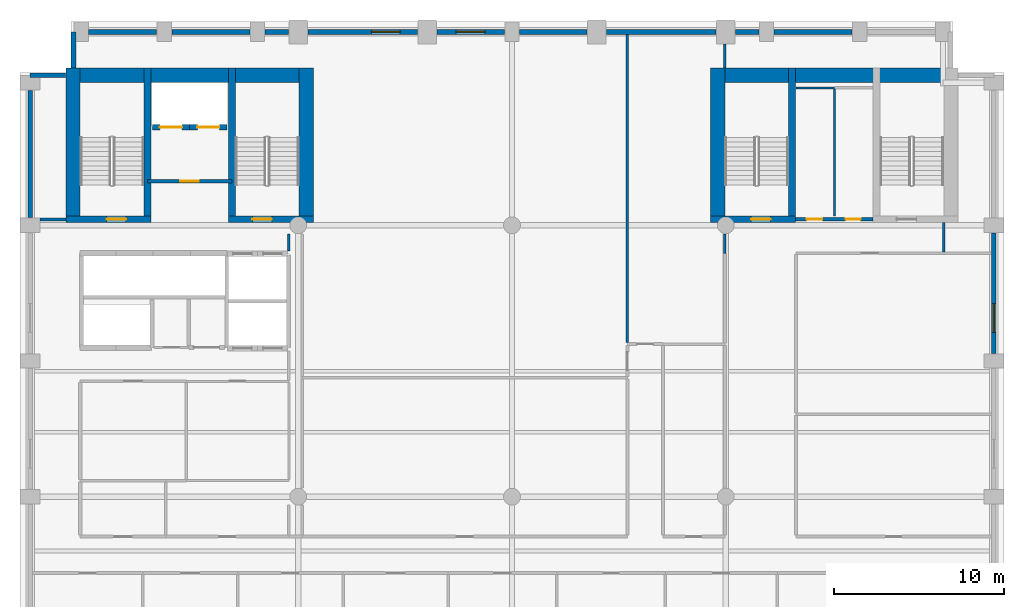
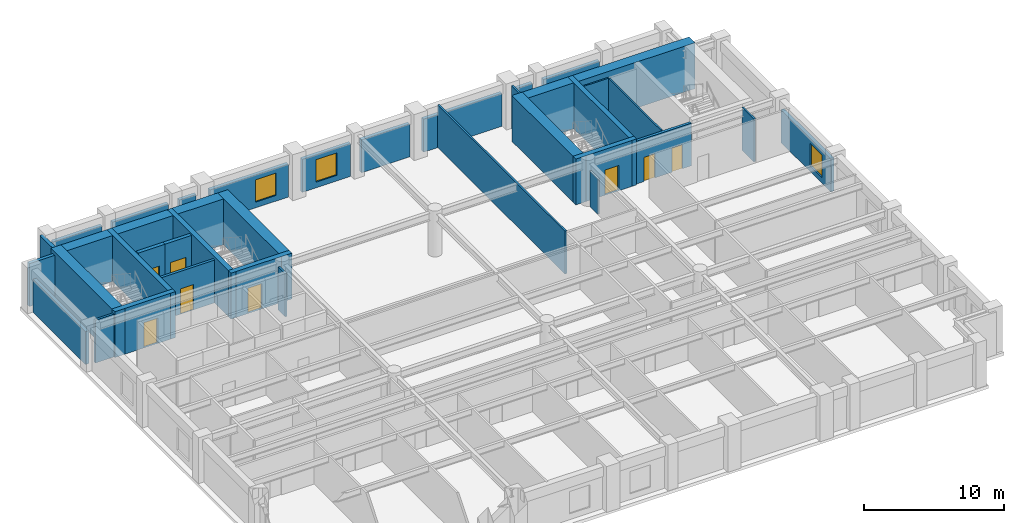
# One storey, part 5 of 8: 36 walls, 8 doors, 3 windows, 11 openings.
"""IFC4 building model written with IfcOpenShell, lengths in metres."""

from ifc_helpers import new_model, si_unit, direction, frame, frame_2d, origin, place, context, subcontext, project, spatial, rectangle, extrude, material, layer, layer_set, type_object, element, fill, save


model = new_model("IFC4")

# Units and contexts
model_context = context("Model", 3, precision=1e-05, world=origin(), true_north=direction((0.0, 1.0)))
body_context = subcontext(model_context, "Body", "Model", "MODEL_VIEW")
ifc_project = project(units=[si_unit("LENGTHUNIT", "METRE"), si_unit("AREAUNIT", "SQUARE_METRE"), si_unit("VOLUMEUNIT", "CUBIC_METRE"), si_unit("PLANEANGLEUNIT", "RADIAN"), si_unit("MASSUNIT", "GRAM", prefix="KILO")], contexts=[model_context])

# Site, building, storey
site_placement = place(None, origin())
site = spatial("IfcSite", under=ifc_project, at=site_placement, CompositionType="ELEMENT")
building_placement = place(site_placement, origin())
building = spatial("IfcBuilding", under=site, at=building_placement, Name="Sulina Concourse Tower", CompositionType="ELEMENT")
storey_placement = place(building_placement, frame((0.0, 0.0, 144.60009765625)))
storey = spatial("IfcBuildingStorey", under=building, at=storey_placement, Name="L35", CompositionType="ELEMENT", Elevation=144.60009765625)

# Wall, opening, door
ifc_material_1 = material(Name="Concrete C50/60", Category="concrete")
ifc_layer_1 = layer(ifc_material_1, 0.300048828125)
ifc_layer_set_1 = layer_set([ifc_layer_1], Name="Concrete C50/60")
wall_type_1 = type_object("IfcWallType", Name="Core Lift Hoistway Wall 300mm", PredefinedType="SOLIDWALL", material=ifc_layer_set_1)
wall_1_placement = place(storey_placement, frame((10.0, 39.780029296875, 0.0), z_axis=(0.0, 0.0, 1.0), x_axis=(-1.0, 0.0, 0.0)))
wall_1 = element("IfcWall", 1, at=wall_1_placement, inside=storey, type_object=wall_type_1, Name="L35 hoistway enclosure wall FFL-1", PredefinedType="SOLIDWALL", context=body_context, shape_type="SweptSolid", body=[
    extrude(rectangle(XDim=2.199951171875, YDim=0.300048828125, at=frame_2d((1.10009765625, 0.0))), origin(), (0.0, 0.0, 1.0), 4.0),
])
opening_1_placement = place(wall_1_placement, frame((0.449951171875, 0.0, 0.0)))
opening_1 = element("IfcOpeningElement", 2, at=opening_1_placement, cuts=wall_1, Name="Opening LD-02", PredefinedType="OPENING", context=body_context, shape_type="SweptSolid", body=[
    extrude(rectangle(XDim=1.300048828125, YDim=2.25, at=frame_2d((0.64990234375, 1.125))), frame((0.0, 0.159912109375, 0.0), z_axis=(0.0, -1.0, 0.0), x_axis=(1.0, 0.0, 0.0)), (0.0, 0.0, 1.0), 0.320068359375),
])
ifc_material_2 = material(Name="Stainless steel lift landing door", Category="steel")
ifc_layer_2 = layer(ifc_material_2, 0.050048828125)
ifc_layer_set_2 = layer_set([ifc_layer_2], Name="Stainless steel lift landing door")
door_type_1 = type_object("IfcDoorType", Name="Firefighting Lift Sliding Landing Door 1300x2250", OperationType="SLIDING_TO_RIGHT", PredefinedType="DOOR", material=ifc_layer_set_2)
door_1_placement = place(opening_1_placement, origin())
door_1 = element("IfcDoor", 3, at=door_1_placement, inside=storey, type_object=door_type_1, Name="L35 lift landing sliding door FFL-1", OperationType="SLIDING_TO_LEFT", OverallHeight=2.25, OverallWidth=1.300048828125, PredefinedType="DOOR", context=body_context, shape_type="SweptSolid", body=[
    extrude(rectangle(XDim=1.300048828125, YDim=2.25, at=frame_2d((0.64990234375, 1.125))), frame((0.0, 0.02490234375, 0.0), z_axis=(0.0, -1.0, 0.0), x_axis=(1.0, 0.0, 0.0)), (0.0, 0.0, 1.0), 0.050048828125),
])
fill(opening_1, door_1)

wall_2_placement = place(storey_placement, frame((12.199951171875, 39.780029296875, 0.0), z_axis=(0.0, 0.0, 1.0), x_axis=(-1.0, 0.0, 0.0)))
wall_2 = element("IfcWall", 4, at=wall_2_placement, inside=storey, type_object=wall_type_1, Name="L35 hoistway enclosure wall FFL-2", PredefinedType="SOLIDWALL", context=body_context, shape_type="SweptSolid", body=[
    extrude(rectangle(XDim=2.199951171875, YDim=0.300048828125, at=frame_2d((1.10009765625, 0.0))), origin(), (0.0, 0.0, 1.0), 4.0),
])
opening_2_placement = place(wall_2_placement, frame((0.449951171875, 0.0, 0.0)))
opening_2 = element("IfcOpeningElement", 5, at=opening_2_placement, cuts=wall_2, Name="Opening LD-02", PredefinedType="OPENING", context=body_context, shape_type="SweptSolid", body=[
    extrude(rectangle(XDim=1.300048828125, YDim=2.25, at=frame_2d((0.64990234375, 1.125))), frame((0.0, 0.159912109375, 0.0), z_axis=(0.0, -1.0, 0.0), x_axis=(1.0, 0.0, 0.0)), (0.0, 0.0, 1.0), 0.320068359375),
])
door_2_placement = place(opening_2_placement, origin())
door_2 = element("IfcDoor", 6, at=door_2_placement, inside=storey, type_object=door_type_1, Name="L35 lift landing sliding door FFL-2", OperationType="SLIDING_TO_RIGHT", OverallHeight=2.25, OverallWidth=1.300048828125, PredefinedType="DOOR", context=body_context, shape_type="SweptSolid", body=[
    extrude(rectangle(XDim=1.300048828125, YDim=2.25, at=frame_2d((0.64990234375, 1.125))), frame((0.0, 0.02490234375, 0.0), z_axis=(0.0, -1.0, 0.0), x_axis=(1.0, 0.0, 0.0)), (0.0, 0.0, 1.0), 0.050048828125),
])
fill(opening_2, door_2)

ifc_material_3 = material(Name="Gypsum board on steel stud", Category="steel")
ifc_layer_3 = layer(ifc_material_3, 0.219970703125)
ifc_layer_set_3 = layer_set([ifc_layer_3], Name="Gypsum board on steel stud")
wall_type_2 = type_object("IfcWallType", Name="Fire-Rated Lobby & Compartment Wall 220mm", PredefinedType="PARTITIONING", material=ifc_layer_set_3)
wall_3_placement = place(storey_placement, frame((7.510009765625, 36.60009765625, 0.0), z_axis=(0.0, 0.0, 1.0), x_axis=(1.0, 0.0, 0.0)))
wall_3 = element("IfcWall", 7, at=wall_3_placement, inside=storey, type_object=wall_type_2, Name="L35 firefighting lobby south fire wall", PredefinedType="PARTITIONING", context=body_context, shape_type="SweptSolid", body=[
    extrude(rectangle(XDim=4.97998046875, YDim=0.219970703125, at=frame_2d((2.489990234375, 0.0))), origin(), (0.0, 0.0, 1.0), 3.724853515625),
])
opening_3_placement = place(wall_3_placement, frame((1.93994140625, 0.0, 0.0)))
opening_3 = element("IfcOpeningElement", 8, at=opening_3_placement, cuts=wall_3, Name="Opening DR-47", PredefinedType="OPENING", context=body_context, shape_type="SweptSolid", body=[
    extrude(rectangle(XDim=1.10009765625, YDim=2.199951171875, at=frame_2d((0.550048828125, 1.10009765625))), frame((0.0, 0.119873046875, 0.0), z_axis=(0.0, -1.0, 0.0), x_axis=(1.0, 0.0, 0.0)), (0.0, 0.0, 1.0), 0.239990234375),
])
ifc_material_4 = material(Name="Galvanised steel acoustic fire leaf", Category="steel")
ifc_layer_4 = layer(ifc_material_4, 0.054931640625)
ifc_layer_set_4 = layer_set([ifc_layer_4], Name="Galvanised steel acoustic fire leaf")
door_type_2 = type_object("IfcDoorType", Name="Firefighting Lobby Fire Door 1100x2200", OperationType="NOTDEFINED", PredefinedType="DOOR", material=ifc_layer_set_4)
door_3_placement = place(opening_3_placement, origin())
door_3 = element("IfcDoor", 9, at=door_3_placement, inside=storey, type_object=door_type_2, Name="L35 firefighting lobby fire door", OperationType="SINGLE_SWING_RIGHT", OverallHeight=2.199951171875, OverallWidth=1.10009765625, PredefinedType="DOOR", context=body_context, shape_type="SweptSolid", body=[
    extrude(rectangle(XDim=1.10009765625, YDim=2.199951171875, at=frame_2d((0.550048828125, 1.10009765625))), frame((0.0, 0.02490234375, 0.0), z_axis=(0.0, -1.0, 0.0), x_axis=(1.0, 0.0, 0.0)), (0.0, 0.0, 1.0), 0.050048828125),
])
fill(opening_3, door_3)

# Wall, openings, doors
wall_4_placement = place(storey_placement, frame((45.719970703125, 34.35009765625, 0.0), z_axis=(0.0, 0.0, 1.0), x_axis=(1.0, 0.0, 0.0)))
wall_4 = element("IfcWall", 10, at=wall_4_placement, inside=storey, type_object=wall_type_2, Name="L35 east core south lobby wall", PredefinedType="PARTITIONING", context=body_context, shape_type="SweptSolid", body=[
    extrude(rectangle(XDim=4.56005859375, YDim=0.219970703125, at=frame_2d((2.280029296875, 0.0))), origin(), (0.0, 0.0, 1.0), 3.724853515625),
])
opening_4_placement = place(wall_4_placement, frame((0.64990234375, 0.0, 0.0)))
opening_4 = element("IfcOpeningElement", 11, at=opening_4_placement, cuts=wall_4, Name="Opening DR-61", PredefinedType="OPENING", context=body_context, shape_type="SweptSolid", body=[
    extrude(rectangle(XDim=0.919921875, YDim=2.10009765625, at=frame_2d((0.4599609375, 1.050048828125))), frame((0.0, 0.119873046875, 0.0), z_axis=(0.0, -1.0, 0.0), x_axis=(1.0, 0.0, 0.0)), (0.0, 0.0, 1.0), 0.239990234375),
])
opening_5_placement = place(wall_4_placement, frame((2.949951171875, 0.0, 0.0)))
opening_5 = element("IfcOpeningElement", 12, at=opening_5_placement, cuts=wall_4, Name="Opening DR-38", PredefinedType="OPENING", context=body_context, shape_type="SweptSolid", body=[
    extrude(rectangle(XDim=0.8798828125, YDim=2.10009765625, at=frame_2d((0.43994140625, 1.050048828125))), frame((0.0, 0.119873046875, 0.0), z_axis=(0.0, -1.0, 0.0), x_axis=(1.0, 0.0, 0.0)), (0.0, 0.0, 1.0), 0.239990234375),
])
ifc_material_5 = material(Name="Oak-veneered fire door leaf")
ifc_layer_5 = layer(ifc_material_5, 0.050048828125)
ifc_layer_set_5 = layer_set([ifc_layer_5], Name="Oak-veneered fire door leaf")
door_type_3 = type_object("IfcDoorType", Name="Accessible WC Door 920x2100", OperationType="NOTDEFINED", PredefinedType="DOOR", material=ifc_layer_set_5)
door_4_placement = place(opening_4_placement, origin())
door_4 = element("IfcDoor", 13, at=door_4_placement, inside=storey, type_object=door_type_3, Name="L35 east core accessible wc door", OperationType="SINGLE_SWING_RIGHT", OverallHeight=2.10009765625, OverallWidth=0.919921875, PredefinedType="DOOR", context=body_context, shape_type="SweptSolid", body=[
    extrude(rectangle(XDim=0.919921875, YDim=2.10009765625, at=frame_2d((0.4599609375, 1.050048828125))), frame((0.0, 0.02490234375, 0.0), z_axis=(0.0, -1.0, 0.0), x_axis=(1.0, 0.0, 0.0)), (0.0, 0.0, 1.0), 0.050048828125),
])
fill(opening_4, door_4)
ifc_material_6 = material(Name="Galvanised steel acoustic fire leaf", Category="steel")
ifc_layer_6 = layer(ifc_material_6, 0.050048828125)
ifc_layer_set_6 = layer_set([ifc_layer_6], Name="Galvanised steel acoustic fire leaf")
door_type_4 = type_object("IfcDoorType", Name="Service Riser Fire Door 880x2100", OperationType="NOTDEFINED", PredefinedType="DOOR", material=ifc_layer_set_6)
door_5_placement = place(opening_5_placement, origin())
door_5 = element("IfcDoor", 14, at=door_5_placement, inside=storey, type_object=door_type_4, Name="L35 east core store door", OperationType="SINGLE_SWING_LEFT", OverallHeight=2.10009765625, OverallWidth=0.8798828125, PredefinedType="DOOR", context=body_context, shape_type="SweptSolid", body=[
    extrude(rectangle(XDim=0.8798828125, YDim=2.10009765625, at=frame_2d((0.43994140625, 1.050048828125))), frame((0.0, 0.02490234375, 0.0), z_axis=(0.0, -1.0, 0.0), x_axis=(1.0, 0.0, 0.0)), (0.0, 0.0, 1.0), 0.050048828125),
])
fill(opening_5, door_5)

# Walls
ifc_material_7 = material(Name="Gypsum board on steel stud", Category="steel")
ifc_layer_7 = layer(ifc_material_7, 0.14990234375)
ifc_layer_set_7 = layer_set([ifc_layer_7], Name="Gypsum board on steel stud")
wall_type_3 = type_object("IfcWallType", Name="Inter-Tenancy Acoustic Partition 150mm", PredefinedType="PARTITIONING", material=ifc_layer_set_7)
wall_5_placement = place(storey_placement, frame((15.85009765625, 32.469970703125, 0.0), z_axis=(0.0, 0.0, 1.0), x_axis=(0.0, 1.0, 0.0)))
element("IfcWall", 15, at=wall_5_placement, inside=storey, type_object=wall_type_3, Name="L35 interior partition 042", PredefinedType="PARTITIONING", context=body_context, shape_type="SweptSolid", body=[
    extrude(rectangle(XDim=1.030029296875, YDim=0.14990234375, at=frame_2d((0.51513671875, 0.0))), origin(), (0.0, 0.0, 1.0), 3.724853515625),
])
wall_6_placement = place(storey_placement, frame((35.800048828125, 27.090087890625, 0.0), z_axis=(0.0, 0.0, 1.0), x_axis=(0.0, 1.0, 0.0)))
element("IfcWall", 16, at=wall_6_placement, inside=storey, type_object=wall_type_3, Name="L35 interior partition 051", PredefinedType="PARTITIONING", context=body_context, shape_type="SweptSolid", body=[
    extrude(rectangle(XDim=18.169921875, YDim=0.14990234375, at=frame_2d((9.0849609375, 0.0))), origin(), (0.0, 0.0, 1.0), 3.724853515625),
])
wall_7_placement = place(storey_placement, frame((41.550048828125, 32.35009765625, 0.0), z_axis=(0.0, 0.0, 1.0), x_axis=(0.0, 1.0, 0.0)))
element("IfcWall", 17, at=wall_7_placement, inside=storey, type_object=wall_type_3, Name="L35 interior partition 057", PredefinedType="PARTITIONING", context=body_context, shape_type="SweptSolid", body=[
    extrude(rectangle(XDim=1.14990234375, YDim=0.14990234375, at=frame_2d((0.574951171875, 0.0))), origin(), (0.0, 0.0, 1.0), 3.06982421875),
])
wall_8_placement = place(storey_placement, frame((41.550048828125, 43.280029296875, 0.0), z_axis=(0.0, 0.0, 1.0), x_axis=(0.0, 1.0, 0.0)))
element("IfcWall", 18, at=wall_8_placement, inside=storey, type_object=wall_type_3, Name="L35 interior partition 058", PredefinedType="PARTITIONING", context=body_context, shape_type="SweptSolid", body=[
    extrude(rectangle(XDim=1.419921875, YDim=0.14990234375, at=frame_2d((0.7099609375, 0.0))), origin(), (0.0, 0.0, 1.0), 3.724853515625),
])
wall_9_placement = place(storey_placement, frame((54.449951171875, 32.425048828125, 0.0), z_axis=(0.0, 0.0, 1.0), x_axis=(0.0, 1.0, 0.0)))
element("IfcWall", 19, at=wall_9_placement, inside=storey, type_object=wall_type_3, Name="L35 interior partition 064", PredefinedType="PARTITIONING", context=body_context, shape_type="SweptSolid", body=[
    extrude(rectangle(XDim=1.724853515625, YDim=0.14990234375, at=frame_2d((0.8623046875, 0.0))), origin(), (0.0, 0.0, 1.0), 3.724853515625),
])
ifc_material_8 = material(Name="Gypsum board on steel stud", Category="steel")
ifc_layer_8 = layer(ifc_material_8, 0.179931640625)
ifc_layer_set_8 = layer_set([ifc_layer_8], Name="Gypsum board on steel stud")
wall_type_4 = type_object("IfcWallType", Name="Protected Corridor & Riser Partition 180mm", PredefinedType="PARTITIONING", material=ifc_layer_set_8)
wall_10_placement = place(storey_placement, frame((1.175048828125, 34.35009765625, 0.0), z_axis=(0.0, 0.0, 1.0), x_axis=(1.0, 0.0, 0.0)))
element("IfcWall", 20, at=wall_10_placement, inside=storey, type_object=wall_type_4, Name="L35 interior partition 029", PredefinedType="PARTITIONING", context=body_context, shape_type="SweptSolid", body=[
    extrude(rectangle(XDim=1.52490234375, YDim=0.179931640625, at=frame_2d((0.762451171875, 0.0))), origin(), (0.0, 0.0, 1.0), 3.724853515625),
])

# Wall, opening, door
ifc_material_9 = material(Name="Concrete C60/75", Category="concrete")
ifc_layer_9 = layer(ifc_material_9, 0.39990234375)
ifc_layer_set_9 = layer_set([ifc_layer_9], Name="Concrete C60/75")
wall_type_5 = type_object("IfcWallType", Name="Protected Stair Core Shear Wall 400mm", PredefinedType="SHEAR", material=ifc_layer_set_9)
wall_11_placement = place(storey_placement, frame((2.699951171875, 34.35009765625, 0.0), z_axis=(0.0, 0.0, 1.0), x_axis=(1.0, 0.0, 0.0)))
wall_11 = element("IfcWall", 21, at=wall_11_placement, inside=storey, type_object=wall_type_5, Name="L35 west core shear wall CW-WS1", PredefinedType="SHEAR", context=body_context, shape_type="SweptSolid", body=[
    extrude(rectangle(XDim=5.010009765625, YDim=0.39990234375, at=frame_2d((2.5048828125, 0.0))), origin(), (0.0, 0.0, 1.0), 4.0),
])
opening_6_placement = place(wall_11_placement, frame((2.39990234375, 0.0, 0.0)))
opening_6 = element("IfcOpeningElement", 22, at=opening_6_placement, cuts=wall_11, Name="Opening DR-60", PredefinedType="OPENING", context=body_context, shape_type="SweptSolid", body=[
    extrude(rectangle(XDim=1.14990234375, YDim=2.199951171875, at=frame_2d((0.574951171875, 1.10009765625))), frame((0.0, 0.2099609375, 0.0), z_axis=(0.0, -1.0, 0.0), x_axis=(1.0, 0.0, 0.0)), (0.0, 0.0, 1.0), 0.419921875),
])
ifc_material_10 = material(Name="Galvanised steel acoustic fire leaf", Category="steel")
ifc_layer_10 = layer(ifc_material_10, 0.054931640625)
ifc_layer_set_10 = layer_set([ifc_layer_10], Name="Galvanised steel acoustic fire leaf")
door_type_5 = type_object("IfcDoorType", Name="Protected Exit Stair Fire Door 1150x2200", OperationType="NOTDEFINED", PredefinedType="DOOR", material=ifc_layer_set_10)
door_6_placement = place(opening_6_placement, origin())
door_6 = element("IfcDoor", 23, at=door_6_placement, inside=storey, type_object=door_type_5, Name="L35 stair ST-1 lobby fire door", OperationType="SINGLE_SWING_RIGHT", OverallHeight=2.199951171875, OverallWidth=1.14990234375, PredefinedType="DOOR", context=body_context, shape_type="SweptSolid", body=[
    extrude(rectangle(XDim=1.14990234375, YDim=2.199951171875, at=frame_2d((0.574951171875, 1.10009765625))), frame((0.0, 0.02490234375, 0.0), z_axis=(0.0, -1.0, 0.0), x_axis=(1.0, 0.0, 0.0)), (0.0, 0.0, 1.0), 0.050048828125),
])
fill(opening_6, door_6)

wall_12_placement = place(storey_placement, frame((12.2900390625, 34.35009765625, 0.0), z_axis=(0.0, 0.0, 1.0), x_axis=(1.0, 0.0, 0.0)))
wall_12 = element("IfcWall", 24, at=wall_12_placement, inside=storey, type_object=wall_type_5, Name="L35 west core shear wall CW-WS2", PredefinedType="SHEAR", context=body_context, shape_type="SweptSolid", body=[
    extrude(rectangle(XDim=5.010009765625, YDim=0.39990234375, at=frame_2d((2.5048828125, 0.0))), origin(), (0.0, 0.0, 1.0), 4.0),
])
opening_7_placement = place(wall_12_placement, frame((1.39990234375, 0.0, 0.0)))
opening_7 = element("IfcOpeningElement", 25, at=opening_7_placement, cuts=wall_12, Name="Opening DR-60", PredefinedType="OPENING", context=body_context, shape_type="SweptSolid", body=[
    extrude(rectangle(XDim=1.14990234375, YDim=2.199951171875, at=frame_2d((0.574951171875, 1.10009765625))), frame((0.0, 0.2099609375, 0.0), z_axis=(0.0, -1.0, 0.0), x_axis=(1.0, 0.0, 0.0)), (0.0, 0.0, 1.0), 0.419921875),
])
door_7_placement = place(opening_7_placement, origin())
door_7 = element("IfcDoor", 26, at=door_7_placement, inside=storey, type_object=door_type_5, Name="L35 stair ST-2 lobby fire door", OperationType="SINGLE_SWING_LEFT", OverallHeight=2.199951171875, OverallWidth=1.14990234375, PredefinedType="DOOR", context=body_context, shape_type="SweptSolid", body=[
    extrude(rectangle(XDim=1.14990234375, YDim=2.199951171875, at=frame_2d((0.574951171875, 1.10009765625))), frame((0.0, 0.02490234375, 0.0), z_axis=(0.0, -1.0, 0.0), x_axis=(1.0, 0.0, 0.0)), (0.0, 0.0, 1.0), 0.050048828125),
])
fill(opening_7, door_7)

# Walls
for number, where, z_axis, x_axis, name in (
    (27, (7.510009765625, 34.14990234375, 0.0), (0.0, 0.0, 1.0), (0.0, 1.0, 0.0), "L35 west core shear wall SW-ST1"),
    (28, (12.489990234375, 34.14990234375, 0.0), (0.0, 0.0, 1.0), (0.0, 1.0, 0.0), "L35 west core shear wall SW-ST2"),
):
    element("IfcWall", number, at=place(storey_placement, frame(where, z_axis=z_axis, x_axis=x_axis)), inside=storey, type_object=wall_type_5, Name=name, PredefinedType="SHEAR", context=body_context, shape_type="SweptSolid", body=[
        extrude(rectangle(XDim=9.130126953125, YDim=0.39990234375, at=frame_2d((4.56494140625, 0.0))), origin(), (0.0, 0.0, 1.0), 4.0),
    ])

# Wall, opening, door
wall_13_placement = place(storey_placement, frame((40.699951171875, 34.35009765625, 0.0), z_axis=(0.0, 0.0, 1.0), x_axis=(1.0, 0.0, 0.0)))
wall_13 = element("IfcWall", 29, at=wall_13_placement, inside=storey, type_object=wall_type_5, Name="L35 east core shear wall CW-ES1", PredefinedType="SHEAR", context=body_context, shape_type="SweptSolid", body=[
    extrude(rectangle(XDim=5.010009765625, YDim=0.39990234375, at=frame_2d((2.5048828125, 0.0))), origin(), (0.0, 0.0, 1.0), 4.0),
])
opening_8_placement = place(wall_13_placement, frame((2.39990234375, 0.0, 0.0)))
opening_8 = element("IfcOpeningElement", 30, at=opening_8_placement, cuts=wall_13, Name="Opening DR-60", PredefinedType="OPENING", context=body_context, shape_type="SweptSolid", body=[
    extrude(rectangle(XDim=1.14990234375, YDim=2.199951171875, at=frame_2d((0.574951171875, 1.10009765625))), frame((0.0, 0.2099609375, 0.0), z_axis=(0.0, -1.0, 0.0), x_axis=(1.0, 0.0, 0.0)), (0.0, 0.0, 1.0), 0.419921875),
])
door_8_placement = place(opening_8_placement, origin())
door_8 = element("IfcDoor", 31, at=door_8_placement, inside=storey, type_object=door_type_5, Name="L35 stair ST-3 south lobby fire door", OperationType="SINGLE_SWING_LEFT", OverallHeight=2.199951171875, OverallWidth=1.14990234375, PredefinedType="DOOR", context=body_context, shape_type="SweptSolid", body=[
    extrude(rectangle(XDim=1.14990234375, YDim=2.199951171875, at=frame_2d((0.574951171875, 1.10009765625))), frame((0.0, 0.02490234375, 0.0), z_axis=(0.0, -1.0, 0.0), x_axis=(1.0, 0.0, 0.0)), (0.0, 0.0, 1.0), 0.050048828125),
])
fill(opening_8, door_8)

# Walls
wall_14_placement = place(storey_placement, frame((45.510009765625, 34.14990234375, 0.0), z_axis=(0.0, 0.0, 1.0), x_axis=(0.0, 1.0, 0.0)))
element("IfcWall", 32, at=wall_14_placement, inside=storey, type_object=wall_type_5, Name="L35 east core shear wall SW-ST3", PredefinedType="SHEAR", context=body_context, shape_type="SweptSolid", body=[
    extrude(rectangle(XDim=9.130126953125, YDim=0.39990234375, at=frame_2d((4.56494140625, 0.0))), origin(), (0.0, 0.0, 1.0), 4.0),
])
ifc_material_11 = material(Name="Concrete C60/75", Category="concrete")
ifc_layer_11 = layer(ifc_material_11, 0.85009765625)
ifc_layer_set_11 = layer_set([ifc_layer_11], Name="Concrete C60/75")
wall_type_6 = type_object("IfcWallType", Name="Rear Core Shear Wall 850mm", PredefinedType="SHEAR", material=ifc_layer_set_11)
wall_15_placement = place(storey_placement, frame((2.699951171875, 42.85498046875, 0.0), z_axis=(0.0, 0.0, 1.0), x_axis=(1.0, 0.0, 0.0)))
element("IfcWall", 33, at=wall_15_placement, inside=storey, type_object=wall_type_6, Name="L35 west core shear wall CW-WN", PredefinedType="SHEAR", context=body_context, shape_type="SweptSolid", body=[
    extrude(rectangle(XDim=14.60009765625, YDim=0.85009765625, at=frame_2d((7.300048828125, 0.0))), origin(), (0.0, 0.0, 1.0), 4.0),
])
for number, where, z_axis, x_axis, name in (
    (34, (3.125, 34.14990234375, 0.0), (0.0, 0.0, 1.0), (0.0, 1.0, 0.0), "L35 west core shear wall CW-WW"),
    (35, (16.875, 34.14990234375, 0.0), (0.0, 0.0, 1.0), (0.0, 1.0, 0.0), "L35 west core shear wall CW-WE"),
):
    element("IfcWall", number, at=place(storey_placement, frame(where, z_axis=z_axis, x_axis=x_axis)), inside=storey, type_object=wall_type_6, Name=name, PredefinedType="SHEAR", context=body_context, shape_type="SweptSolid", body=[
        extrude(rectangle(XDim=9.130126953125, YDim=0.85009765625, at=frame_2d((4.56494140625, 0.0))), origin(), (0.0, 0.0, 1.0), 4.0),
    ])
wall_16_placement = place(storey_placement, frame((40.699951171875, 42.85498046875, 0.0), z_axis=(0.0, 0.0, 1.0), x_axis=(1.0, 0.0, 0.0)))
element("IfcWall", 36, at=wall_16_placement, inside=storey, type_object=wall_type_6, Name="L35 east core shear wall CW-EN", PredefinedType="SHEAR", context=body_context, shape_type="SweptSolid", body=[
    extrude(rectangle(XDim=14.60009765625, YDim=0.85009765625, at=frame_2d((7.300048828125, 0.0))), origin(), (0.0, 0.0, 1.0), 4.0),
])
wall_17_placement = place(storey_placement, frame((41.125, 34.14990234375, 0.0), z_axis=(0.0, 0.0, 1.0), x_axis=(0.0, 1.0, 0.0)))
element("IfcWall", 37, at=wall_17_placement, inside=storey, type_object=wall_type_6, Name="L35 east core shear wall CW-EW", PredefinedType="SHEAR", context=body_context, shape_type="SweptSolid", body=[
    extrude(rectangle(XDim=9.130126953125, YDim=0.85009765625, at=frame_2d((4.56494140625, 0.0))), origin(), (0.0, 0.0, 1.0), 4.0),
])
ifc_material_12 = material(Name="Precast concrete C50/60", Category="concrete")
ifc_layer_12 = layer(ifc_material_12, 0.280029296875)
ifc_layer_set_12 = layer_set([ifc_layer_12], Name="Precast concrete C50/60")
wall_type_7 = type_object("IfcWallType", Name="Typical Precast Masonry-Frame Facade Wall 280mm", PredefinedType="SOLIDWALL", material=ifc_layer_set_12)
wall_18_placement = place(storey_placement, frame((0.60009765625, 34.445068359375, 0.0), z_axis=(0.0, 0.0, 1.0), x_axis=(0.0, 1.0, 0.0)))
element("IfcWall", 38, at=wall_18_placement, inside=storey, type_object=wall_type_7, Name="L35 exterior precast wall W5", PredefinedType="SOLIDWALL", context=body_context, shape_type="SweptSolid", body=[
    extrude(rectangle(XDim=7.510009765625, YDim=0.280029296875, at=frame_2d((3.7548828125, 0.0))), origin(), (0.0, 0.0, 1.0), 2.875),
])
wall_19_placement = place(storey_placement, frame((4.044921875, 45.39990234375, 0.0), z_axis=(0.0, 0.0, 1.0), x_axis=(1.0, 0.0, 0.0)))
element("IfcWall", 39, at=wall_19_placement, inside=storey, type_object=wall_type_7, Name="L35 exterior precast wall N1", PredefinedType="SOLIDWALL", context=body_context, shape_type="SweptSolid", body=[
    extrude(rectangle(XDim=4.010009765625, YDim=0.280029296875, at=frame_2d((2.0048828125, 0.0))), origin(), (0.0, 0.0, 1.0), 2.875),
])
wall_20_placement = place(storey_placement, frame((8.945068359375, 45.39990234375, 0.0), z_axis=(0.0, 0.0, 1.0), x_axis=(1.0, 0.0, 0.0)))
element("IfcWall", 40, at=wall_20_placement, inside=storey, type_object=wall_type_7, Name="L35 exterior precast wall N2", PredefinedType="SOLIDWALL", context=body_context, shape_type="SweptSolid", body=[
    extrude(rectangle(XDim=4.60986328125, YDim=0.280029296875, at=frame_2d((2.304931640625, 0.0))), origin(), (0.0, 0.0, 1.0), 2.875),
])
wall_21_placement = place(storey_placement, frame((14.445068359375, 45.39990234375, 0.0), z_axis=(0.0, 0.0, 1.0), x_axis=(1.0, 0.0, 0.0)))
element("IfcWall", 41, at=wall_21_placement, inside=storey, type_object=wall_type_7, Name="L35 exterior precast wall N3", PredefinedType="SOLIDWALL", context=body_context, shape_type="SweptSolid", body=[
    extrude(rectangle(XDim=1.385009765625, YDim=0.280029296875, at=frame_2d((0.6923828125, 0.0))), origin(), (0.0, 0.0, 1.0), 2.875),
])

# Wall, opening, window
wall_22_placement = place(storey_placement, frame((16.969970703125, 45.39990234375, 0.0), z_axis=(0.0, 0.0, 1.0), x_axis=(1.0, 0.0, 0.0)))
wall_22 = element("IfcWall", 42, at=wall_22_placement, inside=storey, type_object=wall_type_7, Name="L35 exterior precast wall N4", PredefinedType="SOLIDWALL", context=body_context, shape_type="SweptSolid", body=[
    extrude(rectangle(XDim=6.4599609375, YDim=0.280029296875, at=frame_2d((3.22998046875, 0.0))), origin(), (0.0, 0.0, 1.0), 2.875),
])
opening_9_placement = place(wall_22_placement, frame((3.739990234375, 0.0, 0.5)))
opening_9 = element("IfcOpeningElement", 43, at=opening_9_placement, cuts=wall_22, Name="Opening WN-66", PredefinedType="OPENING", context=body_context, shape_type="SweptSolid", body=[
    extrude(rectangle(XDim=1.699951171875, YDim=1.949951171875, at=frame_2d((0.85009765625, 0.97509765625))), frame((0.0, 0.14990234375, 0.0), z_axis=(0.0, -1.0, 0.0), x_axis=(1.0, 0.0, 0.0)), (0.0, 0.0, 1.0), 0.300048828125),
])
ifc_material_13 = material(Name="Low-E solar double glazing in bronze aluminium", Category="aluminium")
window_type = type_object("IfcWindowType", Name="Recessed Spandrel Window 1700x1950", PartitioningType="SINGLE_PANEL", PredefinedType="WINDOW", material=ifc_material_13)
window_1_placement = place(opening_9_placement, origin())
window_1 = element("IfcWindow", 44, at=window_1_placement, inside=storey, type_object=window_type, Name="L35 punched window N4-1", OverallHeight=1.949951171875, OverallWidth=1.699951171875, PartitioningType="SINGLE_PANEL", PredefinedType="WINDOW", context=body_context, shape_type="SweptSolid", body=[
    extrude(rectangle(XDim=1.699951171875, YDim=1.949951171875, at=frame_2d((0.85009765625, 0.97509765625))), frame((0.0, 0.030029296875, 0.0), z_axis=(0.0, -1.0, 0.0), x_axis=(1.0, 0.0, 0.0)), (0.0, 0.0, 1.0), 0.06005859375),
])
fill(opening_9, window_1)

wall_23_placement = place(storey_placement, frame((24.570068359375, 45.39990234375, 0.0), z_axis=(0.0, 0.0, 1.0), x_axis=(1.0, 0.0, 0.0)))
wall_23 = element("IfcWall", 45, at=wall_23_placement, inside=storey, type_object=wall_type_7, Name="L35 exterior precast wall N5", PredefinedType="SOLIDWALL", context=body_context, shape_type="SweptSolid", body=[
    extrude(rectangle(XDim=3.98486328125, YDim=0.280029296875, at=frame_2d((1.992431640625, 0.0))), origin(), (0.0, 0.0, 1.0), 2.875),
])
opening_10_placement = place(wall_23_placement, frame((1.142578125, 0.0, 0.5)))
opening_10 = element("IfcOpeningElement", 46, at=opening_10_placement, cuts=wall_23, Name="Opening WN-66", PredefinedType="OPENING", context=body_context, shape_type="SweptSolid", body=[
    extrude(rectangle(XDim=1.699951171875, YDim=1.949951171875, at=frame_2d((0.85009765625, 0.97509765625))), frame((0.0, 0.14990234375, 0.0), z_axis=(0.0, -1.0, 0.0), x_axis=(1.0, 0.0, 0.0)), (0.0, 0.0, 1.0), 0.300048828125),
])
window_2_placement = place(opening_10_placement, origin())
window_2 = element("IfcWindow", 47, at=window_2_placement, inside=storey, type_object=window_type, Name="L35 punched window N5-1", OverallHeight=1.949951171875, OverallWidth=1.699951171875, PartitioningType="SINGLE_PANEL", PredefinedType="WINDOW", context=body_context, shape_type="SweptSolid", body=[
    extrude(rectangle(XDim=1.699951171875, YDim=1.949951171875, at=frame_2d((0.85009765625, 0.97509765625))), frame((0.0, 0.030029296875, 0.0), z_axis=(0.0, -1.0, 0.0), x_axis=(1.0, 0.0, 0.0)), (0.0, 0.0, 1.0), 0.06005859375),
])
fill(opening_10, window_2)

# Walls
wall_24_placement = place(storey_placement, frame((29.445068359375, 45.39990234375, 0.0), z_axis=(0.0, 0.0, 1.0), x_axis=(1.0, 0.0, 0.0)))
element("IfcWall", 48, at=wall_24_placement, inside=storey, type_object=wall_type_7, Name="L35 exterior precast wall N6", PredefinedType="SOLIDWALL", context=body_context, shape_type="SweptSolid", body=[
    extrude(rectangle(XDim=3.98486328125, YDim=0.280029296875, at=frame_2d((1.992431640625, 0.0))), origin(), (0.0, 0.0, 1.0), 2.875),
])
wall_25_placement = place(storey_placement, frame((34.570068359375, 45.39990234375, 0.0), z_axis=(0.0, 0.0, 1.0), x_axis=(1.0, 0.0, 0.0)))
element("IfcWall", 49, at=wall_25_placement, inside=storey, type_object=wall_type_7, Name="L35 exterior precast wall N7", PredefinedType="SOLIDWALL", context=body_context, shape_type="SweptSolid", body=[
    extrude(rectangle(XDim=6.4599609375, YDim=0.280029296875, at=frame_2d((3.22998046875, 0.0))), origin(), (0.0, 0.0, 1.0), 2.875),
])
wall_26_placement = place(storey_placement, frame((42.169921875, 45.39990234375, 0.0), z_axis=(0.0, 0.0, 1.0), x_axis=(1.0, 0.0, 0.0)))
element("IfcWall", 50, at=wall_26_placement, inside=storey, type_object=wall_type_7, Name="L35 exterior precast wall N8", PredefinedType="SOLIDWALL", context=body_context, shape_type="SweptSolid", body=[
    extrude(rectangle(XDim=1.385009765625, YDim=0.280029296875, at=frame_2d((0.6923828125, 0.0))), origin(), (0.0, 0.0, 1.0), 2.875),
])
wall_27_placement = place(storey_placement, frame((44.445068359375, 45.39990234375, 0.0), z_axis=(0.0, 0.0, 1.0), x_axis=(1.0, 0.0, 0.0)))
element("IfcWall", 51, at=wall_27_placement, inside=storey, type_object=wall_type_7, Name="L35 exterior precast wall N9", PredefinedType="SOLIDWALL", context=body_context, shape_type="SweptSolid", body=[
    extrude(rectangle(XDim=4.60986328125, YDim=0.280029296875, at=frame_2d((2.304931640625, 0.0))), origin(), (0.0, 0.0, 1.0), 2.875),
])

# Wall, opening, window
wall_28_placement = place(storey_placement, frame((57.39990234375, 33.554931640625, 0.0), z_axis=(0.0, 0.0, 1.0), x_axis=(0.0, -1.0, 0.0)))
wall_28 = element("IfcWall", 52, at=wall_28_placement, inside=storey, type_object=wall_type_7, Name="L35 exterior precast wall E4", PredefinedType="SOLIDWALL", context=body_context, shape_type="SweptSolid", body=[
    extrude(rectangle(XDim=7.10986328125, YDim=0.280029296875, at=frame_2d((3.554931640625, 0.0))), origin(), (0.0, 0.0, 1.0), 2.875),
])
opening_11_placement = place(wall_28_placement, frame((4.17333984375, 0.0, 0.5)))
opening_11 = element("IfcOpeningElement", 53, at=opening_11_placement, cuts=wall_28, Name="Opening WN-66", PredefinedType="OPENING", context=body_context, shape_type="SweptSolid", body=[
    extrude(rectangle(XDim=1.699951171875, YDim=1.949951171875, at=frame_2d((0.85009765625, 0.97509765625))), frame((0.0, 0.14990234375, 0.0), z_axis=(0.0, -1.0, 0.0), x_axis=(1.0, 0.0, 0.0)), (0.0, 0.0, 1.0), 0.300048828125),
])
window_3_placement = place(opening_11_placement, origin())
window_3 = element("IfcWindow", 54, at=window_3_placement, inside=storey, type_object=window_type, Name="L35 punched window E4-1", OverallHeight=1.949951171875, OverallWidth=1.699951171875, PartitioningType="SINGLE_PANEL", PredefinedType="WINDOW", context=body_context, shape_type="SweptSolid", body=[
    extrude(rectangle(XDim=1.699951171875, YDim=1.949951171875, at=frame_2d((0.85009765625, 0.97509765625))), frame((0.0, 0.030029296875, 0.0), z_axis=(0.0, -1.0, 0.0), x_axis=(1.0, 0.0, 0.0)), (0.0, 0.0, 1.0), 0.06005859375),
])
fill(opening_11, window_3)

# Walls
wall_29_placement = place(storey_placement, frame((0.60009765625, 42.844970703125, 0.0), z_axis=(0.0, 0.0, 1.0), x_axis=(1.0, 0.0, 0.0)))
element("IfcWall", 55, at=wall_29_placement, inside=storey, type_object=wall_type_7, Name="L35 exterior precast wall CNW1", PredefinedType="SOLIDWALL", context=body_context, shape_type="SweptSolid", body=[
    extrude(rectangle(XDim=2.094970703125, YDim=0.280029296875, at=frame_2d((1.04736328125, 0.0))), origin(), (0.0, 0.0, 1.0), 3.724853515625),
])
wall_30_placement = place(storey_placement, frame((3.155029296875, 43.284912109375, 0.0), z_axis=(0.0, 0.0, 1.0), x_axis=(0.0, 1.0, 0.0)))
element("IfcWall", 56, at=wall_30_placement, inside=storey, type_object=wall_type_7, Name="L35 exterior precast wall CNW2", PredefinedType="SOLIDWALL", context=body_context, shape_type="SweptSolid", body=[
    extrude(rectangle(XDim=2.114990234375, YDim=0.280029296875, at=frame_2d((1.0576171875, 0.0))), origin(), (0.0, 0.0, 1.0), 3.724853515625),
])
ifc_material_14 = material(Name="Gypsum board on steel stud", Category="steel")
ifc_layer_13 = layer(ifc_material_14, 0.125)
ifc_layer_set_13 = layer_set([ifc_layer_13], Name="Gypsum board on steel stud")
wall_type_8 = type_object("IfcWallType", Name="Wet-Area Moisture-Resistant Partition 125mm", PredefinedType="PARTITIONING", material=ifc_layer_set_13)
wall_31_placement = place(storey_placement, frame((45.75, 42.10009765625, 0.0), z_axis=(0.0, 0.0, 1.0), x_axis=(1.0, 0.0, 0.0)))
element("IfcWall", 57, at=wall_31_placement, inside=storey, type_object=wall_type_8, Name="L35 interior partition 030", PredefinedType="PARTITIONING", context=body_context, shape_type="SweptSolid", body=[
    extrude(rectangle(XDim=2.25, YDim=0.125, at=frame_2d((1.125, 0.0))), origin(), (0.0, 0.0, 1.0), 3.724853515625),
])
wall_32_placement = place(storey_placement, frame((48.0, 34.550048828125, 0.0), z_axis=(0.0, 0.0, 1.0), x_axis=(0.0, 1.0, 0.0)))
element("IfcWall", 58, at=wall_32_placement, inside=storey, type_object=wall_type_8, Name="L35 interior partition 062", PredefinedType="PARTITIONING", context=body_context, shape_type="SweptSolid", body=[
    extrude(rectangle(XDim=7.474853515625, YDim=0.125, at=frame_2d((3.7373046875, 0.0))), origin(), (0.0, 0.0, 1.0), 3.724853515625),
])

save(model, "model.ifc")
